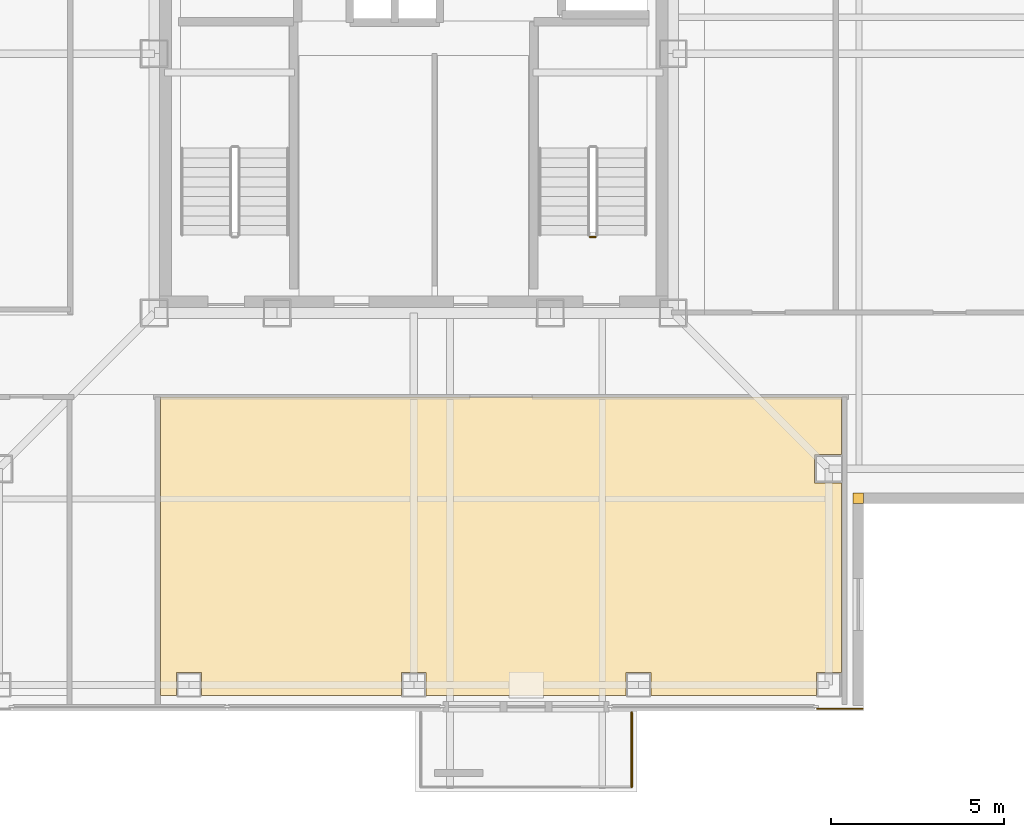
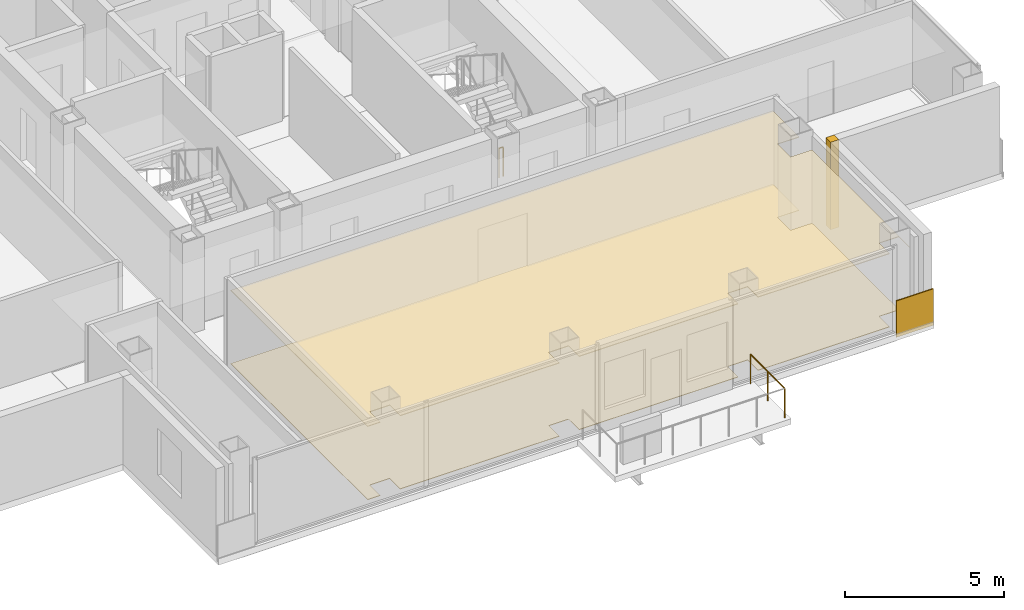
# One storey, part 11 of 15: 4 coverings, 2 railings.
"""IFC4 building model written with IfcOpenShell, lengths in metres."""

from ifc_helpers import new_model, si_unit, direction, frame, frame_2d, origin, origin_2d, place, context, subcontext, project, spatial, polyline, rectangle, circle, outline, extrude, material, layer, layer_set, type_object, element, save


model = new_model("IFC4")

# Units and contexts
model_context = context("Model", 3, precision=1e-05, world=origin(), true_north=direction((0.0, 1.0)))
body_context = subcontext(model_context, "Body", "Model", "MODEL_VIEW")
ifc_project = project(units=[si_unit("LENGTHUNIT", "METRE"), si_unit("AREAUNIT", "SQUARE_METRE"), si_unit("VOLUMEUNIT", "CUBIC_METRE"), si_unit("PLANEANGLEUNIT", "RADIAN"), si_unit("MASSUNIT", "GRAM", prefix="KILO")], contexts=[model_context])

# Site, building, storey
site_placement = place(None, origin())
site = spatial("IfcSite", under=ifc_project, at=site_placement, CompositionType="ELEMENT")
building_placement = place(site_placement, origin())
building = spatial("IfcBuilding", under=site, at=building_placement, Name="Trevonay Congress Spire", CompositionType="ELEMENT")
storey_placement = place(building_placement, frame((0.0, 0.0, 243.199951171875)))
storey = spatial("IfcBuildingStorey", under=building, at=storey_placement, Name="L63", CompositionType="ELEMENT", Elevation=243.199951171875)

# Coverings
ifc_material_1 = material(Name="Acoustic Mineral Fibre Board", Category="gypsum")
ifc_layer_1 = layer(ifc_material_1, 0.02490234375, Name="Acoustic Mineral Fibre Board")
ifc_layer_set_1 = layer_set([ifc_layer_1], Name="Acoustic Mineral Fibre Board")
covering_type_1 = type_object("IfcCoveringType", Name="COV-CEIL-ACOUSTIC", PredefinedType="CEILING", material=ifc_layer_set_1)
covering_1_placement = place(storey_placement, frame((0.0, 0.0, 2.81005859375)))
element("IfcCovering", 1, at=covering_1_placement, inside=storey, type_object=covering_type_1, Name="L63 South Atlantic Multilateral Summit Chamber acoustic suspended ceiling", PredefinedType="CEILING", context=body_context, shape_type="SweptSolid", body=[
    extrude(outline(polyline([(-7.320068359375, -18.550048828125), (-7.320068359375, -9.929931640625), (12.3701171875, -9.929931640625), (12.3701171875, -11.590087890625), (11.590087890625, -11.590087890625), (11.590087890625, -12.409912109375), (12.3701171875, -12.409912109375), (12.3701171875, -18.550048828125), (12.360107421875, -18.550048828125), (12.360107421875, -17.889892578125), (11.639892578125, -17.889892578125), (11.639892578125, -18.550048828125), (6.860107421875, -18.550048828125), (6.860107421875, -17.889892578125), (6.139892578125, -17.889892578125), (6.139892578125, -18.550048828125), (0.360107421875, -18.550048828125), (0.360107421875, -17.889892578125), (-0.360107421875, -17.889892578125), (-0.360107421875, -18.550048828125), (-6.139892578125, -18.550048828125), (-6.139892578125, -17.889892578125), (-6.860107421875, -17.889892578125), (-6.860107421875, -18.550048828125), (-7.320068359375, -18.550048828125)])), origin(), (0.0, 0.0, 1.0), 0.02490234375),
])
ifc_material_2 = material(Name="Engineered Oak Flooring", Category="wood")
ifc_layer_2 = layer(ifc_material_2, 0.01806640625, Name="Engineered Oak Flooring")
ifc_layer_set_2 = layer_set([ifc_layer_2], Name="Engineered Oak Flooring")
covering_type_2 = type_object("IfcCoveringType", Name="COV-FLOOR-TIMBER", PredefinedType="FLOORING", material=ifc_layer_set_2)
covering_2_placement = place(storey_placement, origin())
element("IfcCovering", 2, at=covering_2_placement, inside=storey, type_object=covering_type_2, Name="L63 South Atlantic Multilateral Summit Chamber floor finish", PredefinedType="FLOORING", context=body_context, shape_type="SweptSolid", body=[
    extrude(outline(polyline([(-7.320068359375, -18.550048828125), (-7.320068359375, -9.929931640625), (12.3701171875, -9.929931640625), (12.3701171875, -11.590087890625), (11.590087890625, -11.590087890625), (11.590087890625, -12.409912109375), (12.3701171875, -12.409912109375), (12.3701171875, -18.550048828125), (12.360107421875, -18.550048828125), (12.360107421875, -17.889892578125), (11.639892578125, -17.889892578125), (11.639892578125, -18.550048828125), (6.860107421875, -18.550048828125), (6.860107421875, -17.889892578125), (6.139892578125, -17.889892578125), (6.139892578125, -18.550048828125), (0.360107421875, -18.550048828125), (0.360107421875, -17.889892578125), (-0.360107421875, -17.889892578125), (-0.360107421875, -18.550048828125), (-6.139892578125, -18.550048828125), (-6.139892578125, -17.889892578125), (-6.860107421875, -17.889892578125), (-6.860107421875, -18.550048828125), (-7.320068359375, -18.550048828125)])), origin(), (0.0, 0.0, 1.0), 0.01806640625),
])
ifc_material_3 = material(Name="Pale Anodised Aluminium EN AW-6063-T6", Category="aluminium")
ifc_layer_3 = layer(ifc_material_3, 0.0400390625, Name="Pale Anodised Aluminium EN AW-6063-T6")
ifc_layer_set_3 = layer_set([ifc_layer_3], Name="Pale Anodised Aluminium EN AW-6063-T6")
covering_type_3 = type_object("IfcCoveringType", Name="COV-SPANDREL-PALE-METAL", PredefinedType="CLADDING", material=ifc_layer_set_3)
covering_3_placement = place(storey_placement, origin())
element("IfcCovering", 3, at=covering_3_placement, inside=storey, type_object=covering_type_3, Name="L63 SE re-entrant notch corner closure trim", PredefinedType="CLADDING", context=body_context, shape_type="SweptSolid", body=[
    extrude(outline(polyline([(12.699951171875, -13.0), (13.0, -13.0), (13.0, -12.699951171875), (12.699951171875, -12.699951171875), (12.699951171875, -13.0)])), origin(), (0.0, 0.0, 1.0), 3.360107421875),
])
covering_4_placement = place(storey_placement, frame((11.64990234375, -18.93994140625, -0.14990234375), z_axis=(0.0, 0.0, 1.0), x_axis=(1.0, 0.0, 0.0)))
element("IfcCovering", 4, at=covering_4_placement, inside=storey, type_object=covering_type_3, Name="L63 SE corner pier spandrel cladding 2", PredefinedType="CLADDING", context=body_context, shape_type="SweptSolid", body=[
    extrude(rectangle(XDim=1.35009765625, YDim=0.0400390625, at=frame_2d((0.675048828125, 0.0))), origin(), (0.0, 0.0, 1.0), 1.39990234375),
])

# Railings
railing_type_1 = type_object("IfcRailingType", Name="RAL-EXT-GUARD-115", PredefinedType="GUARDRAIL", material=ifc_material_3)
railing_1_placement = place(storey_placement, frame((6.300048828125, -21.199951171875, 0.0)))
element("IfcRailing", 5, at=railing_1_placement, inside=storey, type_object=railing_type_1, Name="L63 perimeter safety guard GRD-L63-TBAL-S-3", PredefinedType="GUARDRAIL", context=body_context, shape_type="SweptSolid", body=[
    extrude(circle(Radius=0.02392578125, at=origin_2d()), frame((0.0, 0.0, 1.1259765625), z_axis=(0.0, 1.0, 0.0), x_axis=(-1.0, 0.0, 0.0)), (0.0, 0.0, 1.0), 2.14990234375),
    extrude(circle(Radius=0.02099609375, at=origin_2d()), origin(), (0.0, 0.0, 1.0), 1.101806640625),
    extrude(circle(Radius=0.02099609375, at=origin_2d()), frame((0.0, 1.074951171875, 0.0)), (0.0, 0.0, 1.0), 1.101806640625),
    extrude(circle(Radius=0.02099609375, at=origin_2d()), frame((0.0, 2.14990234375, 0.0)), (0.0, 0.0, 1.0), 1.101806640625),
])
railing_type_2 = type_object("IfcRailingType", Name="RAL-STAIR-GUARD-110", PredefinedType="GUARDRAIL", material=ifc_material_3)
railing_2_placement = place(storey_placement, frame((5.25, -5.300048828125, 0.0)))
element("IfcRailing", 6, at=railing_2_placement, inside=storey, type_object=railing_type_2, Name="L63 ST-2 stair guard 4", PredefinedType="GUARDRAIL", context=body_context, shape_type="SweptSolid", body=[
    extrude(circle(Radius=0.02392578125, at=origin_2d()), frame((0.0, 0.0, 1.1259765625), z_axis=(-1.0, 0.0, 0.0), x_axis=(0.0, -1.0, 0.0)), (0.0, 0.0, 1.0), 0.14990234375),
    extrude(circle(Radius=0.02099609375, at=origin_2d()), origin(), (0.0, 0.0, 1.0), 1.101806640625),
    extrude(circle(Radius=0.02099609375, at=origin_2d()), frame((-0.14990234375, 0.0, 0.0)), (0.0, 0.0, 1.0), 1.101806640625),
])

save(model, "model.ifc")
